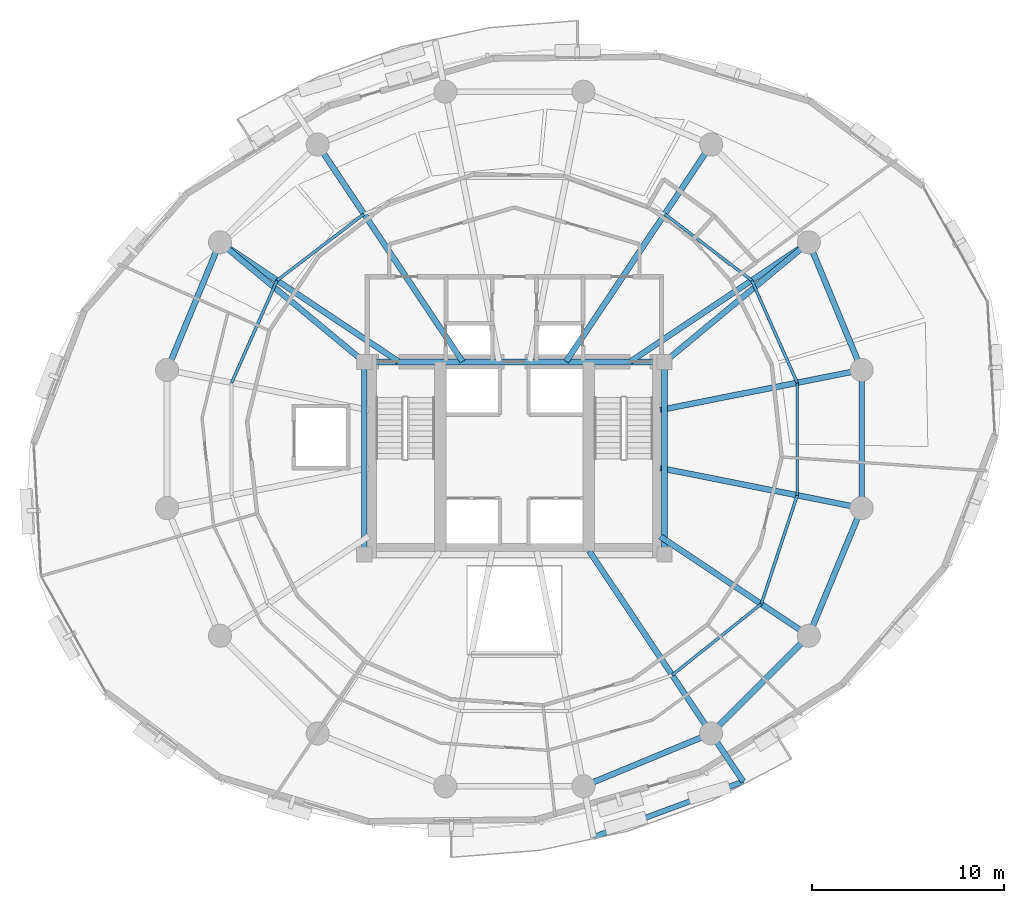
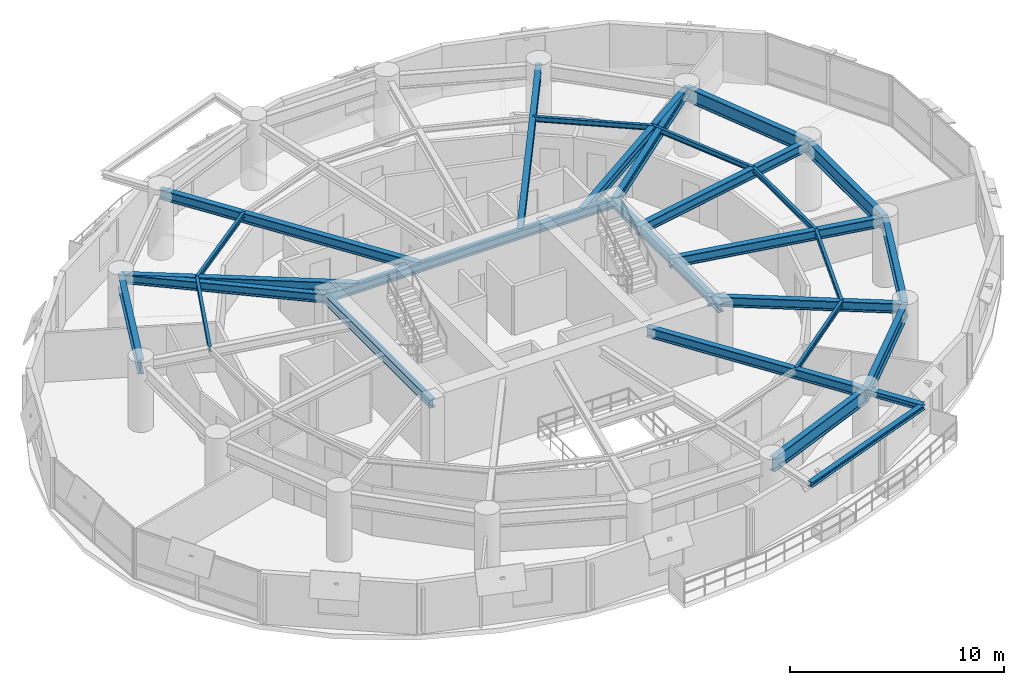
# One storey, part 5 of 15: 28 beams.
"""IFC4 building model written with IfcOpenShell, lengths in metres."""

from ifc_helpers import new_model, si_unit, direction, frame, origin, origin_2d, place, context, subcontext, project, spatial, i_section, extrude, material, material_profile, profile_set, type_object, element, save


model = new_model("IFC4")

# Units and contexts
model_context = context("Model", 3, precision=1e-05, world=origin(), true_north=direction((0.0, 1.0)))
body_context = subcontext(model_context, "Body", "Model", "MODEL_VIEW")
ifc_project = project(units=[si_unit("LENGTHUNIT", "METRE"), si_unit("AREAUNIT", "SQUARE_METRE"), si_unit("VOLUMEUNIT", "CUBIC_METRE"), si_unit("PLANEANGLEUNIT", "RADIAN"), si_unit("MASSUNIT", "GRAM", prefix="KILO"), si_unit("THERMODYNAMICTEMPERATUREUNIT", "KELVIN"), si_unit("POWERUNIT", "WATT")], contexts=[model_context])

# Site, building, storey
site_placement = place(None, origin())
site = spatial("IfcSite", under=ifc_project, at=site_placement, CompositionType="ELEMENT")
building_placement = place(site_placement, origin())
building = spatial("IfcBuilding", under=site, at=building_placement, Name="Ocrelia Relay Tower", CompositionType="ELEMENT")
storey_placement = place(building_placement, frame((0.0, 0.0, 101.800048828125)))
storey = spatial("IfcBuildingStorey", under=building, at=storey_placement, Name="L23", CompositionType="ELEMENT", Elevation=101.800048828125)

# Beams
ifc_material = material(Name="Steel S355", Category="steel")
ifc_material_profile_1 = material_profile(ifc_material, i_section(OverallWidth=0.280029296875, OverallDepth=0.27001953125, WebThickness=0.008056640625, FlangeThickness=0.012939453125, FilletRadius=0.02392578125, at=origin_2d()), Name="HEA 280")
ifc_profile_set_1 = profile_set([ifc_material_profile_1], Name="Steel S355")
beam_type_1 = type_object("IfcBeamType", Name="BM-HEA280", PredefinedType="BEAM", material=ifc_profile_set_1)
beam_1_placement = place(storey_placement, frame((38.1142578125, 5.316650390625, 3.5849609375), z_axis=(0.937536650893, 0.347886516314, 0.0), x_axis=(-0.347886516314, 0.937536650893, 0.0)))
element("IfcBeam", 1, at=beam_1_placement, inside=storey, type_object=beam_type_1, Name="L24 Balcony Edge Trimmer Beam B2", PredefinedType="BEAM", context=body_context, shape_type="SweptSolid", body=[
    extrude(i_section(OverallWidth=0.280029296875, OverallDepth=0.27001953125, WebThickness=0.008056640625, FlangeThickness=0.012939453125, FilletRadius=0.02392578125, at=origin_2d()), origin(), (0.0, 0.0, 1.0), 8.295654296875),
])
ifc_material_profile_2 = material_profile(ifc_material, i_section(OverallWidth=0.300048828125, OverallDepth=0.330078125, WebThickness=0.009521484375, FlangeThickness=0.0166015625, FilletRadius=0.027099609375, at=origin_2d()), Name="HEA 340")
ifc_profile_set_2 = profile_set([ifc_material_profile_2], Name="Steel S355")
beam_type_2 = type_object("IfcBeamType", Name="BM-HEA340", PredefinedType="BEAM", material=ifc_profile_set_2)
beam_2_placement = place(storey_placement, frame((44.222412109375, 10.700927734375, 3.554931640625), z_axis=(0.555599891785, -0.831449794184, 0.0), x_axis=(0.831449794184, 0.555599891785, 0.0)))
element("IfcBeam", 2, at=beam_2_placement, inside=storey, type_object=beam_type_2, Name="L24 Balcony Cantilever Beam B2-2", PredefinedType="BEAM", context=body_context, shape_type="SweptSolid", body=[
    extrude(i_section(OverallWidth=0.300048828125, OverallDepth=0.330078125, WebThickness=0.009521484375, FlangeThickness=0.0166015625, FilletRadius=0.027099609375, at=origin_2d()), origin(), (0.0, 0.0, 1.0), 3.004638671875),
])
ifc_material_profile_3 = material_profile(ifc_material, i_section(OverallWidth=0.300048828125, OverallDepth=0.5, WebThickness=0.014404296875, FlangeThickness=0.028076171875, FilletRadius=0.027099609375, at=origin_2d()), Name="HEB 500")
ifc_profile_set_3 = profile_set([ifc_material_profile_3], Name="Steel S355")
beam_type_3 = type_object("IfcBeamType", Name="BM-HEB500", PredefinedType="BEAM", material=ifc_profile_set_3)
beam_3_placement = place(storey_placement, frame((26.199951171875, 30.0, 3.469970703125), z_axis=(1.0, 0.0, 0.0), x_axis=(0.0, 1.0, 0.0)))
element("IfcBeam", 3, at=beam_3_placement, inside=storey, type_object=beam_type_3, Name="L23 Core Pilaster Tie Beam N", PredefinedType="BEAM", context=body_context, shape_type="SweptSolid", body=[
    extrude(i_section(OverallWidth=0.300048828125, OverallDepth=0.5, WebThickness=0.014404296875, FlangeThickness=0.028076171875, FilletRadius=0.027099609375, at=origin_2d()), origin(), (0.0, 0.0, 1.0), 15.60009765625),
])
for number, where, z_axis, x_axis, name in (
    (4, (26.199951171875, 20.0, 3.469970703125), (0.0, 1.0, 0.0), (-1.0, 0.0, 0.0), "L23 Core Pilaster Tie Beam W"),
    (5, (41.800048828125, 20.0, 3.469970703125), (0.0, 1.0, 0.0), (-1.0, 0.0, 0.0), "L23 Core Pilaster Tie Beam E"),
):
    element("IfcBeam", number, at=place(storey_placement, frame(where, z_axis=z_axis, x_axis=x_axis)), inside=storey, type_object=beam_type_3, Name=name, PredefinedType="BEAM", context=body_context, shape_type="SweptSolid", body=[
        extrude(i_section(OverallWidth=0.300048828125, OverallDepth=0.5, WebThickness=0.014404296875, FlangeThickness=0.028076171875, FilletRadius=0.027099609375, at=origin_2d()), origin(), (0.0, 0.0, 1.0), 10.0),
    ])
for number, where, z_axis, x_axis, name in (
    (6, (49.299072265625, 36.222412109375, 3.469970703125), (-0.769570862751, -0.638561420072, 0.0), (0.638561420072, -0.769570862751, 0.0), "L23 Core Pilaster Frame Tie Beam PT02"),
    (7, (18.700927734375, 36.222412109375, 3.469970703125), (0.769570862751, -0.638561420072, 0.0), (0.638561420072, 0.769570862751, 0.0), "L23 Core Pilaster Frame Tie Beam PT07"),
):
    element("IfcBeam", number, at=place(storey_placement, frame(where, z_axis=z_axis, x_axis=x_axis)), inside=storey, type_object=beam_type_3, Name=name, PredefinedType="BEAM", context=body_context, shape_type="SweptSolid", body=[
        extrude(i_section(OverallWidth=0.300048828125, OverallDepth=0.5, WebThickness=0.014404296875, FlangeThickness=0.028076171875, FilletRadius=0.027099609375, at=origin_2d()), origin(), (0.0, 0.0, 1.0), 9.744384765625),
    ])
ifc_material_profile_4 = material_profile(ifc_material, i_section(OverallWidth=0.300048828125, OverallDepth=0.550048828125, WebThickness=0.014892578125, FlangeThickness=0.029052734375, FilletRadius=0.027099609375, at=origin_2d()), Name="HEB 550")
ifc_profile_set_4 = profile_set([ifc_material_profile_4], Name="Steel S355")
beam_type_4 = type_object("IfcBeamType", Name="BM-HEB550", PredefinedType="BEAM", material=ifc_profile_set_4)
beam_4_placement = place(storey_placement, frame((52.04638671875, 29.589599609375, 3.445068359375), z_axis=(-0.980786914024, -0.195082109071, 0.0), x_axis=(0.195082109071, -0.980786914024, 0.0)))
element("IfcBeam", 8, at=beam_4_placement, inside=storey, type_object=beam_type_4, Name="L23 Radial Floor Girder R01", PredefinedType="BEAM", context=body_context, shape_type="SweptSolid", body=[
    extrude(i_section(OverallWidth=0.300048828125, OverallDepth=0.550048828125, WebThickness=0.014892578125, FlangeThickness=0.029052734375, FilletRadius=0.027099609375, at=origin_2d()), origin(), (0.0, 0.0, 1.0), 10.67138671875),
])
beam_5_placement = place(storey_placement, frame((49.299072265625, 36.222412109375, 3.445068359375), z_axis=(-0.83147699108, -0.555559189741, 0.0), x_axis=(0.555559189741, -0.83147699108, 0.0)))
element("IfcBeam", 9, at=beam_5_placement, inside=storey, type_object=beam_type_4, Name="L23 Radial Floor Girder R02", PredefinedType="BEAM", context=body_context, shape_type="SweptSolid", body=[
    extrude(i_section(OverallWidth=0.300048828125, OverallDepth=0.550048828125, WebThickness=0.014892578125, FlangeThickness=0.029052734375, FilletRadius=0.027099609375, at=origin_2d()), origin(), (0.0, 0.0, 1.0), 11.146240234375),
])
for number, where, z_axis, x_axis, name in (
    (10, (44.222412109375, 41.299072265625, 3.445068359375), (-0.555560399988, -0.83147618244, 0.0), (0.83147618244, -0.555560399988, 0.0), "L23 Radial Floor Girder R03"),
    (11, (23.777587890625, 41.299072265625, 3.445068359375), (0.555560399988, -0.83147618244, 0.0), (0.83147618244, 0.555560399988, 0.0), "L23 Radial Floor Girder R06"),
):
    element("IfcBeam", number, at=place(storey_placement, frame(where, z_axis=z_axis, x_axis=x_axis)), inside=storey, type_object=beam_type_4, Name=name, PredefinedType="BEAM", context=body_context, shape_type="SweptSolid", body=[
        extrude(i_section(OverallWidth=0.300048828125, OverallDepth=0.550048828125, WebThickness=0.014892578125, FlangeThickness=0.029052734375, FilletRadius=0.027099609375, at=origin_2d()), origin(), (0.0, 0.0, 1.0), 13.552978515625),
    ])
beam_6_placement = place(storey_placement, frame((18.700927734375, 36.222412109375, 3.445068359375), z_axis=(0.83147699108, -0.555559189741, 0.0), x_axis=(0.555559189741, 0.83147699108, 0.0)))
element("IfcBeam", 12, at=beam_6_placement, inside=storey, type_object=beam_type_4, Name="L23 Radial Floor Girder R07", PredefinedType="BEAM", context=body_context, shape_type="SweptSolid", body=[
    extrude(i_section(OverallWidth=0.300048828125, OverallDepth=0.550048828125, WebThickness=0.014892578125, FlangeThickness=0.029052734375, FilletRadius=0.027099609375, at=origin_2d()), origin(), (0.0, 0.0, 1.0), 11.146240234375),
])
beam_7_placement = place(storey_placement, frame((44.222412109375, 10.700927734375, 3.445068359375), z_axis=(-0.555565661158, 0.831472667105, 0.0), x_axis=(-0.831472667105, -0.555565661158, 0.0)))
element("IfcBeam", 13, at=beam_7_placement, inside=storey, type_object=beam_type_4, Name="L23 Radial Floor Girder R14", PredefinedType="BEAM", context=body_context, shape_type="SweptSolid", body=[
    extrude(i_section(OverallWidth=0.300048828125, OverallDepth=0.550048828125, WebThickness=0.014892578125, FlangeThickness=0.029052734375, FilletRadius=0.027099609375, at=origin_2d()), origin(), (0.0, 0.0, 1.0), 11.38818359375),
])
beam_8_placement = place(storey_placement, frame((49.299072265625, 15.777587890625, 3.445068359375), z_axis=(-0.8314672312, 0.555573796575, 0.0), x_axis=(-0.555573796575, -0.8314672312, 0.0)))
element("IfcBeam", 14, at=beam_8_placement, inside=storey, type_object=beam_type_4, Name="L23 Radial Floor Girder R15", PredefinedType="BEAM", context=body_context, shape_type="SweptSolid", body=[
    extrude(i_section(OverallWidth=0.300048828125, OverallDepth=0.550048828125, WebThickness=0.014892578125, FlangeThickness=0.029052734375, FilletRadius=0.027099609375, at=origin_2d()), origin(), (0.0, 0.0, 1.0), 9.28369140625),
])
beam_9_placement = place(storey_placement, frame((52.04638671875, 22.410400390625, 3.445068359375), z_axis=(-0.980786914024, 0.195082109071, 0.0), x_axis=(-0.195082109071, -0.980786914024, 0.0)))
element("IfcBeam", 15, at=beam_9_placement, inside=storey, type_object=beam_type_4, Name="L23 Radial Floor Girder R16", PredefinedType="BEAM", context=body_context, shape_type="SweptSolid", body=[
    extrude(i_section(OverallWidth=0.300048828125, OverallDepth=0.550048828125, WebThickness=0.014892578125, FlangeThickness=0.029052734375, FilletRadius=0.027099609375, at=origin_2d()), origin(), (0.0, 0.0, 1.0), 10.67138671875),
])
ifc_material_profile_5 = material_profile(ifc_material, i_section(OverallWidth=0.300048828125, OverallDepth=0.800048828125, WebThickness=0.017578125, FlangeThickness=0.032958984375, FilletRadius=0.030029296875, at=origin_2d()), Name="HEB 800")
ifc_profile_set_5 = profile_set([ifc_material_profile_5], Name="Steel S355")
beam_type_5 = type_object("IfcBeamType", Name="BM-HEB800", PredefinedType="BEAM", material=ifc_profile_set_5)
for number, where, z_axis, x_axis, name in (
    (16, (52.04638671875, 29.589599609375, 3.320068359375), (-0.382673155247, 0.923883789366, 0.0), (-0.923883789366, -0.382673155247, 0.0), "L23 Perimeter Spandrel Beam S01"),
    (17, (18.700927734375, 36.222412109375, 3.320068359375), (-0.382673155247, -0.923883789366, 0.0), (0.923883789366, -0.382673155247, 0.0), "L23 Perimeter Spandrel Beam S07"),
    (18, (37.589599609375, 7.95361328125, 3.320068359375), (0.923883789366, 0.382673155247, 0.0), (-0.382673155247, 0.923883789366, 0.0), "L23 Perimeter Spandrel Beam S13"),
):
    element("IfcBeam", number, at=place(storey_placement, frame(where, z_axis=z_axis, x_axis=x_axis)), inside=storey, type_object=beam_type_5, Name=name, PredefinedType="BEAM", context=body_context, shape_type="SweptSolid", body=[
        extrude(i_section(OverallWidth=0.300048828125, OverallDepth=0.800048828125, WebThickness=0.017578125, FlangeThickness=0.032958984375, FilletRadius=0.030029296875, at=origin_2d()), origin(), (0.0, 0.0, 1.0), 7.17919921875),
    ])
beam_10_placement = place(storey_placement, frame((44.222412109375, 10.700927734375, 3.320068359375), z_axis=(0.707106781187, 0.707106781187, 0.0), x_axis=(-0.707106781187, 0.707106781187, 0.0)))
element("IfcBeam", 19, at=beam_10_placement, inside=storey, type_object=beam_type_5, Name="L23 Perimeter Spandrel Beam S14", PredefinedType="BEAM", context=body_context, shape_type="SweptSolid", body=[
    extrude(i_section(OverallWidth=0.300048828125, OverallDepth=0.800048828125, WebThickness=0.017578125, FlangeThickness=0.032958984375, FilletRadius=0.030029296875, at=origin_2d()), origin(), (0.0, 0.0, 1.0), 7.179443359375),
])
for number, where, z_axis, x_axis, name in (
    (20, (49.299072265625, 15.777587890625, 3.320068359375), (0.382673155247, 0.923883789366, 0.0), (-0.923883789366, 0.382673155247, 0.0), "L23 Perimeter Spandrel Beam S15"),
    (21, (52.04638671875, 22.410400390625, 3.320068359375), (0.0, 1.0, 0.0), (-1.0, 0.0, 0.0), "L23 Perimeter Spandrel Beam S16"),
):
    element("IfcBeam", number, at=place(storey_placement, frame(where, z_axis=z_axis, x_axis=x_axis)), inside=storey, type_object=beam_type_5, Name=name, PredefinedType="BEAM", context=body_context, shape_type="SweptSolid", body=[
        extrude(i_section(OverallWidth=0.300048828125, OverallDepth=0.800048828125, WebThickness=0.017578125, FlangeThickness=0.032958984375, FilletRadius=0.030029296875, at=origin_2d()), origin(), (0.0, 0.0, 1.0), 7.17919921875),
    ])
ifc_material_profile_6 = material_profile(ifc_material, i_section(OverallWidth=0.14990234375, OverallDepth=0.300048828125, WebThickness=0.007080078125, FlangeThickness=0.0107421875, FilletRadius=0.014892578125, at=origin_2d()), Name="IPE 300")
ifc_profile_set_6 = profile_set([ifc_material_profile_6], Name="Steel S355")
beam_type_6 = type_object("IfcBeamType", Name="BM-IPE300", PredefinedType="JOIST", material=ifc_profile_set_6)
beam_11_placement = place(storey_placement, frame((48.697265625, 28.923583984375, 3.570068359375), z_axis=(-0.406243565397, 0.913764830563, 0.0), x_axis=(-0.913764830563, -0.406243565397, 0.0)))
element("IfcBeam", 22, at=beam_11_placement, inside=storey, type_object=beam_type_6, Name="L23 Secondary Floor Joist J01", PredefinedType="JOIST", context=body_context, shape_type="SweptSolid", body=[
    extrude(i_section(OverallWidth=0.14990234375, OverallDepth=0.300048828125, WebThickness=0.007080078125, FlangeThickness=0.0107421875, FilletRadius=0.014892578125, at=origin_2d()), origin(), (0.0, 0.0, 1.0), 5.819091796875),
])
for number, where, z_axis, x_axis, name in (
    (23, (46.333251953125, 34.240966796875, 3.570068359375), (-0.794762167004, 0.60692099807, 0.0), (-0.60692099807, -0.794762167004, 0.0), "L23 Secondary Floor Joist J02"),
    (24, (26.18701171875, 37.69287109375, 3.570068359375), (-0.794762167004, -0.60692099807, 0.0), (0.60692099807, -0.794762167004, 0.0), "L23 Secondary Floor Joist J06"),
):
    element("IfcBeam", number, at=place(storey_placement, frame(where, z_axis=z_axis, x_axis=x_axis)), inside=storey, type_object=beam_type_6, Name=name, PredefinedType="JOIST", context=body_context, shape_type="SweptSolid", body=[
        extrude(i_section(OverallWidth=0.14990234375, OverallDepth=0.300048828125, WebThickness=0.007080078125, FlangeThickness=0.0107421875, FilletRadius=0.014892578125, at=origin_2d()), origin(), (0.0, 0.0, 1.0), 5.6875),
    ])
beam_12_placement = place(storey_placement, frame((21.666748046875, 34.240966796875, 3.570068359375), z_axis=(-0.405741333342, -0.913987948727, 0.0), x_axis=(0.913987948727, -0.405741333342, 0.0)))
element("IfcBeam", 25, at=beam_12_placement, inside=storey, type_object=beam_type_6, Name="L23 Secondary Floor Joist J07", PredefinedType="JOIST", context=body_context, shape_type="SweptSolid", body=[
    extrude(i_section(OverallWidth=0.14990234375, OverallDepth=0.300048828125, WebThickness=0.007080078125, FlangeThickness=0.0107421875, FilletRadius=0.014892578125, at=origin_2d()), origin(), (0.0, 0.0, 1.0), 5.818603515625),
])
beam_13_placement = place(storey_placement, frame((42.197998046875, 13.731201171875, 3.570068359375), z_axis=(0.781519577804, 0.623880717372, 0.0), x_axis=(-0.623880717372, 0.781519577804, 0.0)))
element("IfcBeam", 26, at=beam_13_placement, inside=storey, type_object=beam_type_6, Name="L23 Secondary Floor Joist J14", PredefinedType="JOIST", context=body_context, shape_type="SweptSolid", body=[
    extrude(i_section(OverallWidth=0.14990234375, OverallDepth=0.300048828125, WebThickness=0.007080078125, FlangeThickness=0.0107421875, FilletRadius=0.014892578125, at=origin_2d()), origin(), (0.0, 0.0, 1.0), 5.925537109375),
])
beam_14_placement = place(storey_placement, frame((46.828857421875, 17.427978515625, 3.570068359375), z_axis=(0.314047924314, 0.949407131443, 0.0), x_axis=(-0.949407131443, 0.314047924314, 0.0)))
element("IfcBeam", 27, at=beam_14_placement, inside=storey, type_object=beam_type_6, Name="L23 Secondary Floor Joist J15", PredefinedType="JOIST", context=body_context, shape_type="SweptSolid", body=[
    extrude(i_section(OverallWidth=0.14990234375, OverallDepth=0.300048828125, WebThickness=0.007080078125, FlangeThickness=0.0107421875, FilletRadius=0.014892578125, at=origin_2d()), origin(), (0.0, 0.0, 1.0), 5.949462890625),
])
beam_15_placement = place(storey_placement, frame((48.697265625, 23.076416015625, 3.570068359375), z_axis=(0.0, 1.0, 0.0), x_axis=(-1.0, 0.0, 0.0)))
element("IfcBeam", 28, at=beam_15_placement, inside=storey, type_object=beam_type_6, Name="L23 Secondary Floor Joist J16", PredefinedType="JOIST", context=body_context, shape_type="SweptSolid", body=[
    extrude(i_section(OverallWidth=0.14990234375, OverallDepth=0.300048828125, WebThickness=0.007080078125, FlangeThickness=0.0107421875, FilletRadius=0.014892578125, at=origin_2d()), origin(), (0.0, 0.0, 1.0), 5.84716796875),
])

save(model, "model.ifc")
